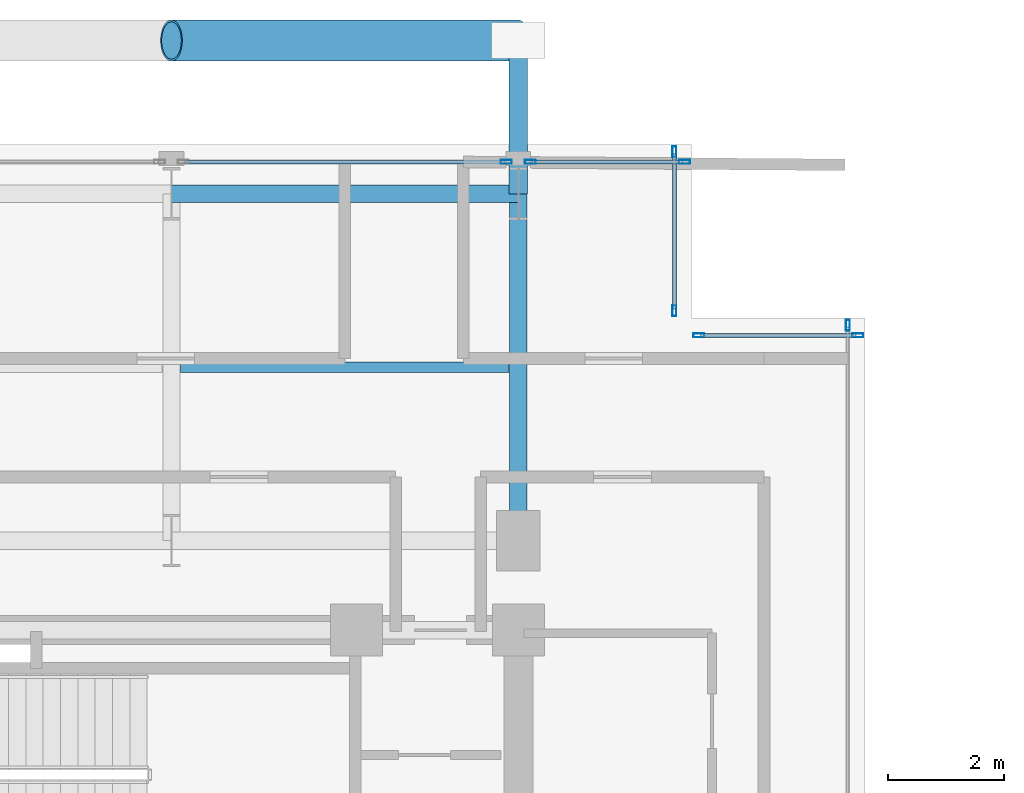
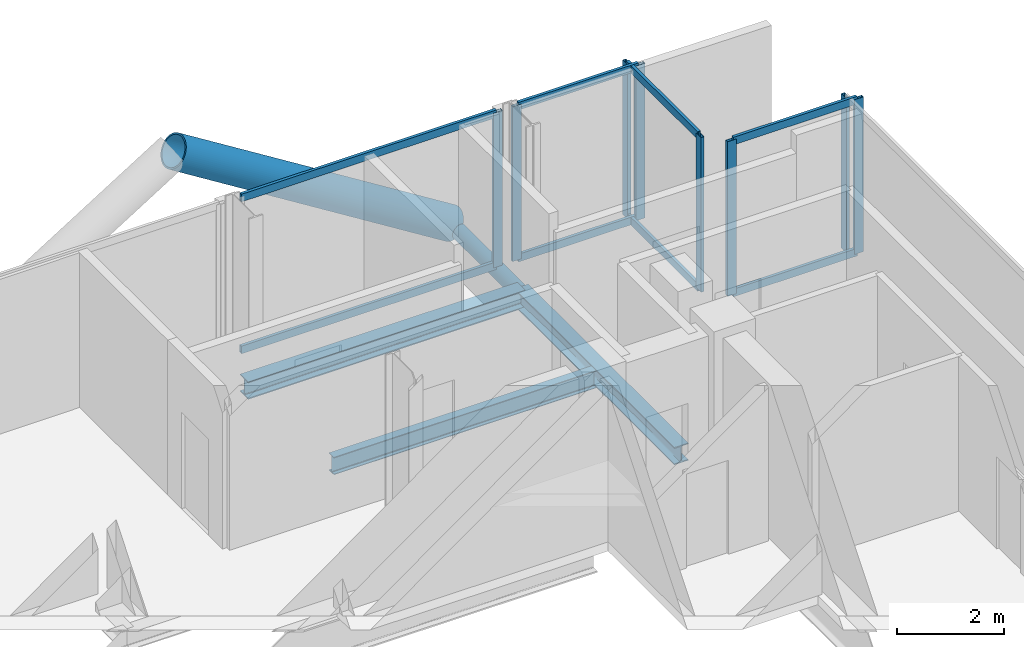
# One storey, part 14 of 22: 18 members, 3 beams, 5 elements without a shape of their own.
"""IFC4 building model written with IfcOpenShell, lengths in metres."""

from ifc_helpers import new_model, si_unit, direction, frame, origin, origin_2d, place, context, subcontext, project, spatial, hollow_rectangle, hollow_circle, i_section, extrude, material, layer, layer_set, material_profile, profile_set, type_object, element, aggregate, save


model = new_model("IFC4")

# Units and contexts
model_context = context("Model", 3, precision=1e-05, world=origin(), true_north=direction((0.0, 1.0)))
body_context = subcontext(model_context, "Body", "Model", "MODEL_VIEW")
ifc_project = project(units=[si_unit("LENGTHUNIT", "METRE"), si_unit("AREAUNIT", "SQUARE_METRE"), si_unit("VOLUMEUNIT", "CUBIC_METRE"), si_unit("PLANEANGLEUNIT", "RADIAN"), si_unit("MASSUNIT", "GRAM", prefix="KILO"), si_unit("THERMODYNAMICTEMPERATUREUNIT", "KELVIN"), si_unit("POWERUNIT", "WATT")], contexts=[model_context])

# Site, building, storey
site_placement = place(None, origin())
site = spatial("IfcSite", under=ifc_project, at=site_placement, CompositionType="ELEMENT")
building_placement = place(site_placement, origin())
building = spatial("IfcBuilding", under=site, at=building_placement, Name="Svarakhadi Broadcast Tower", CompositionType="ELEMENT")
storey_placement = place(building_placement, frame((0.0, 0.0, 172.949951171875)))
storey = spatial("IfcBuildingStorey", under=building, at=storey_placement, Name="L42", CompositionType="ELEMENT", Elevation=172.949951171875)

# Beam
ifc_material_1 = material(Name="Steel S355J2 (IS 2062 E350C)", Category="steel")
ifc_material_profile_1 = material_profile(ifc_material_1, i_section(OverallWidth=0.179931640625, OverallDepth=0.39990234375, WebThickness=0.008544921875, FlangeThickness=0.013427734375, FilletRadius=0.02099609375, at=origin_2d()), Name="NPB 400x180x66")
ifc_profile_set_1 = profile_set([ifc_material_profile_1], Name="Steel S355J2 (IS 2062 E350C)")
beam_type_1 = type_object("IfcBeamType", Name="Beam_NPB400", PredefinedType="BEAM", material=ifc_profile_set_1)
beam_placement = place(storey_placement, frame((12.159912109375, 32.14990234375, -0.409912109375), z_axis=(1.0, 0.0, 0.0), x_axis=(0.0, 1.0, 0.0)))
element("IfcBeam", 1, at=beam_placement, inside=storey, type_object=beam_type_1, Name="L42 Secondary Composite Beam SB012", PredefinedType="BEAM", context=body_context, shape_type="SweptSolid", body=[
    extrude(i_section(OverallWidth=0.179931640625, OverallDepth=0.39990234375, WebThickness=0.008544921875, FlangeThickness=0.013427734375, FilletRadius=0.02099609375, at=origin_2d()), origin(), (0.0, 0.0, 1.0), 5.68017578125),
])

# Curtain wall, member
ifc_material_2 = material(Name="Anodised Bronze Aluminium AA 6063-T6", Category="aluminium")
ifc_layer = layer(ifc_material_2, 0.18994140625)
ifc_layer_set = layer_set([ifc_layer], Name="Anodised Bronze Aluminium AA 6063-T6")
curtain_wall_type = type_object("IfcCurtainWallType", Name="CW_Sys_04", PredefinedType="NOTDEFINED", material=ifc_layer_set)
curtain_wall_1_placement = place(storey_placement, origin())
curtain_wall_1 = element("IfcCurtainWall", 2, at=curtain_wall_1_placement, inside=storey, type_object=curtain_wall_type, Name="L42 Unitised Facade Curtain Wall 06 Bay 2", PredefinedType="NOTDEFINED")
ifc_material_profile_2 = material_profile(ifc_material_2, hollow_rectangle(XDim=0.070068359375, YDim=0.18994140625, WallThickness=0.005615234375, at=origin_2d()), Name="ALU MULLION 190x70x6")
ifc_profile_set_2 = profile_set([ifc_material_profile_2], Name="Anodised Bronze Aluminium AA 6063-T6")
member_type_1 = type_object("IfcMemberType", Name="CW_Sys_04_Mul", PredefinedType="MULLION", material=ifc_profile_set_2)
member_1_placement = place(storey_placement, frame((17.794921875, 35.699951171875, 0.0), z_axis=(0.0, 0.0, 1.0), x_axis=(0.0, 1.0, 0.0)))
member_1 = element("IfcMember", 3, at=member_1_placement, type_object=member_type_1, Name="CW-04 mullion 2", PredefinedType="MULLION", context=body_context, shape_type="SweptSolid", body=[
    extrude(hollow_rectangle(XDim=0.070068359375, YDim=0.18994140625, WallThickness=0.005615234375, at=origin_2d()), origin(), (0.0, 0.0, 1.0), 3.5400390625),
])

# Curtain wall, members
curtain_wall_2_placement = place(storey_placement, origin())
curtain_wall_2 = element("IfcCurtainWall", 4, at=curtain_wall_2_placement, inside=storey, type_object=curtain_wall_type, Name="L42 Unitised Facade Curtain Wall 06 Bay 3", PredefinedType="NOTDEFINED")
member_2_placement = place(storey_placement, frame((18.205078125, 35.699951171875, 0.0), z_axis=(0.0, 0.0, 1.0), x_axis=(0.0, 1.0, 0.0)))
member_2 = element("IfcMember", 5, at=member_2_placement, type_object=member_type_1, Name="CW-04 mullion 1", PredefinedType="MULLION", context=body_context, shape_type="SweptSolid", body=[
    extrude(hollow_rectangle(XDim=0.070068359375, YDim=0.18994140625, WallThickness=0.005615234375, at=origin_2d()), origin(), (0.0, 0.0, 1.0), 3.5400390625),
])
member_3_placement = place(storey_placement, frame((20.875, 35.699951171875, 0.0), z_axis=(0.0, 0.0, 1.0), x_axis=(0.0, 1.0, 0.0)))
member_3 = element("IfcMember", 6, at=member_3_placement, type_object=member_type_1, Name="CW-04 mullion 2", PredefinedType="MULLION", context=body_context, shape_type="SweptSolid", body=[
    extrude(hollow_rectangle(XDim=0.070068359375, YDim=0.18994140625, WallThickness=0.005615234375, at=origin_2d()), origin(), (0.0, 0.0, 1.0), 3.5400390625),
])

curtain_wall_3_placement = place(storey_placement, origin())
curtain_wall_3 = element("IfcCurtainWall", 7, at=curtain_wall_3_placement, inside=storey, type_object=curtain_wall_type, Name="L42 Unitised Facade Curtain Wall 07", PredefinedType="NOTDEFINED")
member_4_placement = place(storey_placement, frame((20.699951171875, 35.875, 0.0), z_axis=(0.0, 0.0, 1.0), x_axis=(1.0, 0.0, 0.0)))
member_4 = element("IfcMember", 8, at=member_4_placement, type_object=member_type_1, Name="CW-04 mullion 1", PredefinedType="MULLION", context=body_context, shape_type="SweptSolid", body=[
    extrude(hollow_rectangle(XDim=0.070068359375, YDim=0.18994140625, WallThickness=0.005615234375, at=origin_2d()), origin(), (0.0, 0.0, 1.0), 3.5400390625),
])
member_5_placement = place(storey_placement, frame((20.699951171875, 33.125, 0.0), z_axis=(0.0, 0.0, 1.0), x_axis=(1.0, 0.0, 0.0)))
member_5 = element("IfcMember", 9, at=member_5_placement, type_object=member_type_1, Name="CW-04 mullion 2", PredefinedType="MULLION", context=body_context, shape_type="SweptSolid", body=[
    extrude(hollow_rectangle(XDim=0.070068359375, YDim=0.18994140625, WallThickness=0.005615234375, at=origin_2d()), origin(), (0.0, 0.0, 1.0), 3.5400390625),
])

curtain_wall_4_placement = place(storey_placement, origin())
curtain_wall_4 = element("IfcCurtainWall", 10, at=curtain_wall_4_placement, inside=storey, type_object=curtain_wall_type, Name="L42 Unitised Facade Curtain Wall 08", PredefinedType="NOTDEFINED")
member_6_placement = place(storey_placement, frame((21.125, 32.699951171875, 0.0), z_axis=(0.0, 0.0, 1.0), x_axis=(0.0, 1.0, 0.0)))
member_6 = element("IfcMember", 11, at=member_6_placement, type_object=member_type_1, Name="CW-04 mullion 1", PredefinedType="MULLION", context=body_context, shape_type="SweptSolid", body=[
    extrude(hollow_rectangle(XDim=0.070068359375, YDim=0.18994140625, WallThickness=0.005615234375, at=origin_2d()), origin(), (0.0, 0.0, 1.0), 3.5400390625),
])
member_7_placement = place(storey_placement, frame((23.875, 32.699951171875, 0.0), z_axis=(0.0, 0.0, 1.0), x_axis=(0.0, 1.0, 0.0)))
member_7 = element("IfcMember", 12, at=member_7_placement, type_object=member_type_1, Name="CW-04 mullion 2", PredefinedType="MULLION", context=body_context, shape_type="SweptSolid", body=[
    extrude(hollow_rectangle(XDim=0.070068359375, YDim=0.18994140625, WallThickness=0.005615234375, at=origin_2d()), origin(), (0.0, 0.0, 1.0), 3.5400390625),
])

# Curtain wall, member
curtain_wall_5_placement = place(storey_placement, origin())
curtain_wall_5 = element("IfcCurtainWall", 13, at=curtain_wall_5_placement, inside=storey, type_object=curtain_wall_type, Name="L42 Unitised Facade Curtain Wall 09", PredefinedType="NOTDEFINED")
member_8_placement = place(storey_placement, frame((23.699951171875, 32.875, 0.0), z_axis=(0.0, 0.0, 1.0), x_axis=(1.0, 0.0, 0.0)))
member_8 = element("IfcMember", 14, at=member_8_placement, type_object=member_type_1, Name="CW-04 mullion 1", PredefinedType="MULLION", context=body_context, shape_type="SweptSolid", body=[
    extrude(hollow_rectangle(XDim=0.070068359375, YDim=0.18994140625, WallThickness=0.005615234375, at=origin_2d()), origin(), (0.0, 0.0, 1.0), 3.5400390625),
])
aggregate(curtain_wall_5, [member_8])

# Member
ifc_material_profile_3 = material_profile(ifc_material_2, hollow_rectangle(XDim=0.06494140625, YDim=0.175048828125, WallThickness=0.0048828125, at=origin_2d()), Name="ALU TRANSOM 175x65x5")
ifc_profile_set_3 = profile_set([ifc_material_profile_3], Name="Anodised Bronze Aluminium AA 6063-T6")
member_type_2 = type_object("IfcMemberType", Name="CW_Sys_04_Trn", PredefinedType="USERDEFINED", material=ifc_profile_set_3)
member_9_placement = place(storey_placement, frame((12.239990234375, 35.699951171875, 0.032470703125), z_axis=(1.0, 0.0, 0.0), x_axis=(0.0, 1.0, 0.0)))
member_9 = element("IfcMember", 15, at=member_9_placement, type_object=member_type_2, Name="CW-04 transom 1.1", ObjectType="TRANSOM", PredefinedType="USERDEFINED", context=body_context, shape_type="SweptSolid", body=[
    extrude(hollow_rectangle(XDim=0.06494140625, YDim=0.175048828125, WallThickness=0.0048828125, at=origin_2d()), origin(), (0.0, 0.0, 1.0), 5.52001953125),
])

member_10_placement = place(storey_placement, frame((12.239990234375, 35.699951171875, 3.507568359375), z_axis=(1.0, 0.0, 0.0), x_axis=(0.0, 1.0, 0.0)))
member_10 = element("IfcMember", 16, at=member_10_placement, type_object=member_type_2, Name="CW-04 transom 1.2", ObjectType="TRANSOM", PredefinedType="USERDEFINED", context=body_context, shape_type="SweptSolid", body=[
    extrude(hollow_rectangle(XDim=0.06494140625, YDim=0.175048828125, WallThickness=0.0048828125, at=origin_2d()), origin(), (0.0, 0.0, 1.0), 5.52001953125),
])

aggregate(curtain_wall_1, [member_1, member_9, member_10])

member_11_placement = place(storey_placement, frame((18.239990234375, 35.699951171875, 0.032470703125), z_axis=(1.0, 0.0, 0.0), x_axis=(0.0, 1.0, 0.0)))
member_11 = element("IfcMember", 17, at=member_11_placement, type_object=member_type_2, Name="CW-04 transom 1.1", ObjectType="TRANSOM", PredefinedType="USERDEFINED", context=body_context, shape_type="SweptSolid", body=[
    extrude(hollow_rectangle(XDim=0.06494140625, YDim=0.175048828125, WallThickness=0.0048828125, at=origin_2d()), origin(), (0.0, 0.0, 1.0), 2.60009765625),
])

member_12_placement = place(storey_placement, frame((18.239990234375, 35.699951171875, 3.507568359375), z_axis=(1.0, 0.0, 0.0), x_axis=(0.0, 1.0, 0.0)))
member_12 = element("IfcMember", 18, at=member_12_placement, type_object=member_type_2, Name="CW-04 transom 1.2", ObjectType="TRANSOM", PredefinedType="USERDEFINED", context=body_context, shape_type="SweptSolid", body=[
    extrude(hollow_rectangle(XDim=0.06494140625, YDim=0.175048828125, WallThickness=0.0048828125, at=origin_2d()), origin(), (0.0, 0.0, 1.0), 2.60009765625),
])

aggregate(curtain_wall_2, [member_2, member_3, member_11, member_12])

member_13_placement = place(storey_placement, frame((20.699951171875, 35.840087890625, 0.032470703125), z_axis=(0.0, -1.0, 0.0), x_axis=(1.0, 0.0, 0.0)))
member_13 = element("IfcMember", 19, at=member_13_placement, type_object=member_type_2, Name="CW-04 transom 1.1", ObjectType="TRANSOM", PredefinedType="USERDEFINED", context=body_context, shape_type="SweptSolid", body=[
    extrude(hollow_rectangle(XDim=0.06494140625, YDim=0.175048828125, WallThickness=0.0048828125, at=origin_2d()), origin(), (0.0, 0.0, 1.0), 2.68017578125),
])

member_14_placement = place(storey_placement, frame((20.699951171875, 35.840087890625, 3.507568359375), z_axis=(0.0, -1.0, 0.0), x_axis=(1.0, 0.0, 0.0)))
member_14 = element("IfcMember", 20, at=member_14_placement, type_object=member_type_2, Name="CW-04 transom 1.2", ObjectType="TRANSOM", PredefinedType="USERDEFINED", context=body_context, shape_type="SweptSolid", body=[
    extrude(hollow_rectangle(XDim=0.06494140625, YDim=0.175048828125, WallThickness=0.0048828125, at=origin_2d()), origin(), (0.0, 0.0, 1.0), 2.68017578125),
])

aggregate(curtain_wall_3, [member_4, member_5, member_13, member_14])

member_15_placement = place(storey_placement, frame((21.159912109375, 32.699951171875, 0.032470703125), z_axis=(1.0, 0.0, 0.0), x_axis=(0.0, 1.0, 0.0)))
member_15 = element("IfcMember", 21, at=member_15_placement, type_object=member_type_2, Name="CW-04 transom 1.1", ObjectType="TRANSOM", PredefinedType="USERDEFINED", context=body_context, shape_type="SweptSolid", body=[
    extrude(hollow_rectangle(XDim=0.06494140625, YDim=0.175048828125, WallThickness=0.0048828125, at=origin_2d()), origin(), (0.0, 0.0, 1.0), 2.68017578125),
])

member_16_placement = place(storey_placement, frame((21.159912109375, 32.699951171875, 3.507568359375), z_axis=(1.0, 0.0, 0.0), x_axis=(0.0, 1.0, 0.0)))
member_16 = element("IfcMember", 22, at=member_16_placement, type_object=member_type_2, Name="CW-04 transom 1.2", ObjectType="TRANSOM", PredefinedType="USERDEFINED", context=body_context, shape_type="SweptSolid", body=[
    extrude(hollow_rectangle(XDim=0.06494140625, YDim=0.175048828125, WallThickness=0.0048828125, at=origin_2d()), origin(), (0.0, 0.0, 1.0), 2.68017578125),
])

aggregate(curtain_wall_4, [member_6, member_7, member_15, member_16])

# Members
ifc_material_3 = material(Name="Steel S460ML (IS 2062 E450BR)", Category="steel")
ifc_material_profile_4 = material_profile(ifc_material_3, hollow_circle(Radius=0.35546875, WallThickness=0.034912109375, at=origin_2d()), Name="CHS 711x35")
ifc_profile_set_4 = profile_set([ifc_material_profile_4], Name="Steel S460ML (IS 2062 E450BR)")
member_type_3 = type_object("IfcMemberType", Name="Exo_Brace_CHS711", PredefinedType="BRACE", material=ifc_profile_set_4)
member_17_placement = place(storey_placement, frame((18.0, 37.800048828125, -0.371826171875), z_axis=(-0.847998304005, 0.0, 0.529998940003), x_axis=(0.0, -1.0, 0.0)))
element("IfcMember", 23, at=member_17_placement, inside=storey, type_object=member_type_3, Name="L42 Exposed Bronze Exoskeleton Diagonal N07", PredefinedType="BRACE", context=body_context, shape_type="SweptSolid", body=[
    extrude(hollow_circle(Radius=0.35546875, WallThickness=0.034912109375, at=origin_2d()), origin(), (0.0, 0.0, 1.0), 7.075439453125),
])
ifc_material_profile_5 = material_profile(ifc_material_3, hollow_circle(Radius=0.161865234375, WallThickness=0.01611328125, at=origin_2d()), Name="CHS 323.9x16")
ifc_profile_set_5 = profile_set([ifc_material_profile_5], Name="Steel S460ML (IS 2062 E450BR)")
member_type_4 = type_object("IfcMemberType", Name="Exo_Radial_Strut_Z2", PredefinedType="STRUT", material=ifc_profile_set_5)
member_18_placement = place(storey_placement, frame((18.0, 37.800048828125, -0.371826171875), z_axis=(0.0, -1.0, 0.0), x_axis=(1.0, 0.0, 0.0)))
element("IfcMember", 24, at=member_18_placement, inside=storey, type_object=member_type_4, Name="L42 Exoskeleton Radial Tie Strut N10", PredefinedType="STRUT", context=body_context, shape_type="SweptSolid", body=[
    extrude(hollow_circle(Radius=0.161865234375, WallThickness=0.01611328125, at=origin_2d()), origin(), (0.0, 0.0, 1.0), 2.650146484375),
])

# Beams
ifc_material_profile_6 = material_profile(ifc_material_1, i_section(OverallWidth=0.300048828125, OverallDepth=0.39990234375, WebThickness=0.013427734375, FlangeThickness=0.02392578125, FilletRadius=0.027099609375, at=origin_2d()), Name="WPB 400x300x155")
ifc_profile_set_6 = profile_set([ifc_material_profile_6], Name="Steel S355J2 (IS 2062 E350C)")
beam_type_2 = type_object("IfcBeamType", Name="Girder_WPB400", PredefinedType="USERDEFINED", material=ifc_profile_set_6)
for number, where, z_axis, x_axis, name in (
    (25, (12.0, 35.14990234375, -0.409912109375), (1.0, 0.0, 0.0), (0.0, 1.0, 0.0), "L42 Primary E-W Girder G032"),
    (26, (18.0, 29.14990234375, -0.409912109375), (0.0, 1.0, 0.0), (-1.0, 0.0, 0.0), "L42 Primary N-S Girder G050"),
):
    element("IfcBeam", number, at=place(storey_placement, frame(where, z_axis=z_axis, x_axis=x_axis)), inside=storey, type_object=beam_type_2, Name=name, ObjectType="GIRDER", PredefinedType="USERDEFINED", context=body_context, shape_type="SweptSolid", body=[
        extrude(i_section(OverallWidth=0.300048828125, OverallDepth=0.39990234375, WebThickness=0.013427734375, FlangeThickness=0.02392578125, FilletRadius=0.027099609375, at=origin_2d()), origin(), (0.0, 0.0, 1.0), 6.0),
    ])

save(model, "model.ifc")
